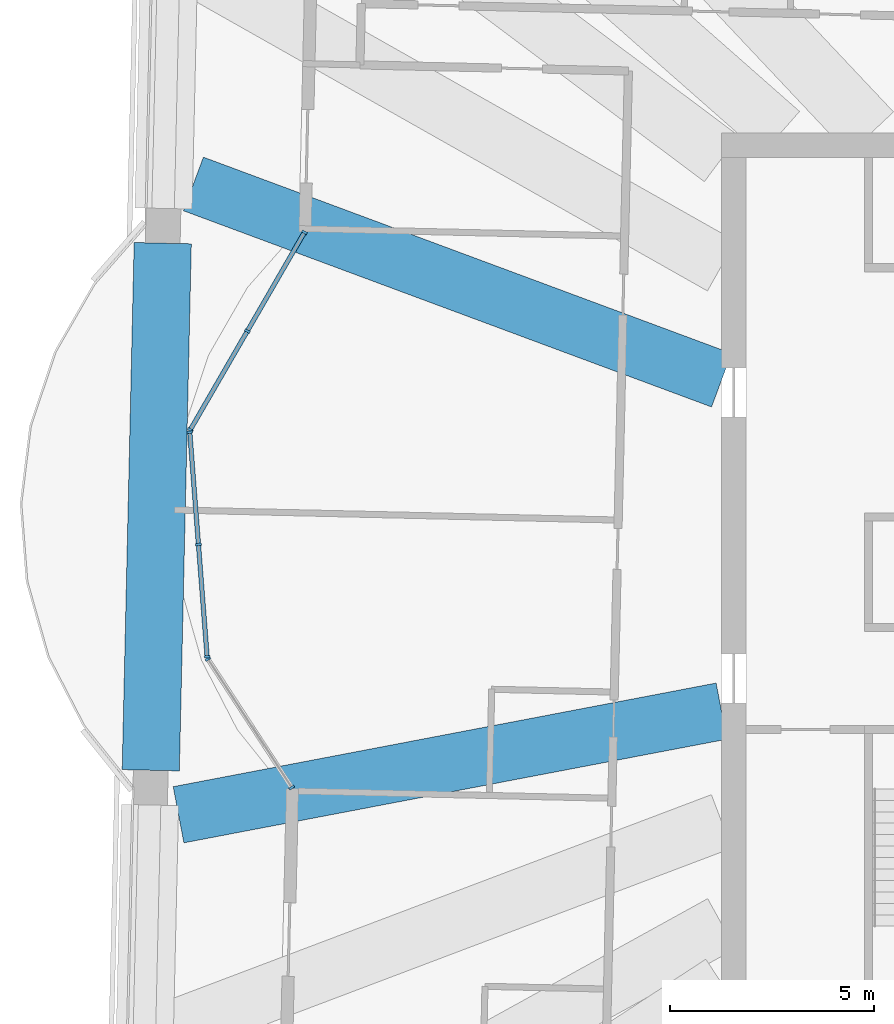
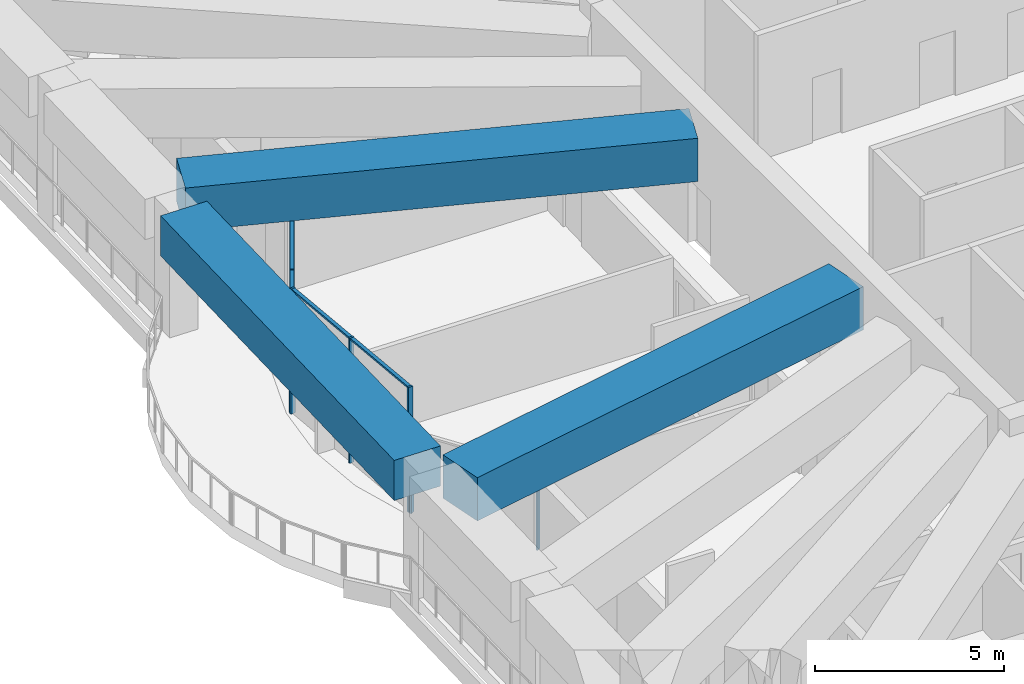
# One storey, part 2 of 17: 12 members, 3 beams, 3 elements without a shape of their own.
"""IFC4 building model written with IfcOpenShell, lengths in metres."""

from ifc_helpers import new_model, si_unit, direction, frame, origin, origin_2d, place, context, subcontext, project, spatial, rectangle, extrude, material, material_profile, profile_set, type_object, element, aggregate, save


model = new_model("IFC4")

# Units and contexts
model_context = context("Model", 3, precision=1e-05, world=origin(), true_north=direction((0.0, 1.0)))
body_context = subcontext(model_context, "Body", "Model", "MODEL_VIEW")
ifc_project = project(units=[si_unit("LENGTHUNIT", "METRE"), si_unit("AREAUNIT", "SQUARE_METRE"), si_unit("VOLUMEUNIT", "CUBIC_METRE"), si_unit("PLANEANGLEUNIT", "RADIAN"), si_unit("MASSUNIT", "GRAM", prefix="KILO")], contexts=[model_context])

# Site, building, storey
site_placement = place(None, origin())
site = spatial("IfcSite", under=ifc_project, at=site_placement, CompositionType="ELEMENT")
building_placement = place(site_placement, origin())
building = spatial("IfcBuilding", under=site, at=building_placement, Name="Mangrove Gate Tower", CompositionType="ELEMENT")
storey_placement = place(building_placement, frame((0.0, 0.0, 337.89990234375)))
storey = spatial("IfcBuildingStorey", under=building, at=storey_placement, Name="L86", CompositionType="ELEMENT", Elevation=337.89990234375)

# Curtain wall, members
ifc_material_1 = material(Name="Aluminium and glass curtain wall", Category="aluminium")
curtain_wall_type = type_object("IfcCurtainWallType", Name="Crown garden glazing wall", PredefinedType="NOTDEFINED", material=ifc_material_1)
curtain_wall_1_placement = place(storey_placement, origin())
curtain_wall_1 = element("IfcCurtainWall", 1, at=curtain_wall_1_placement, inside=storey, type_object=curtain_wall_type, Name="Crown garden glazing W9f1", PredefinedType="NOTDEFINED")
ifc_material_2 = material(Name="Aluminium alloy 6063-T6", Category="aluminium")
ifc_material_profile_1 = material_profile(ifc_material_2, rectangle(XDim=0.06005859375, YDim=0.139892578125, at=origin_2d()))
ifc_profile_set_1 = profile_set([ifc_material_profile_1], Name="Aluminium alloy 6063-T6")
member_type_1 = type_object("IfcMemberType", Name="Crown garden glazing mullion 60x140", PredefinedType="MULLION", material=ifc_profile_set_1)
member_1_placement = place(storey_placement, frame((-24.604248046875, 8.96826171875, 0.0), z_axis=(0.0, 0.0, 1.0), x_axis=(-0.500418160284, -0.865783844189, 0.0)))
member_1 = element("IfcMember", 2, at=member_1_placement, type_object=member_type_1, Name="CWC mullion 1", PredefinedType="MULLION", context=body_context, shape_type="SweptSolid", body=[
    extrude(rectangle(XDim=0.06005859375, YDim=0.139892578125, at=origin_2d()), origin(), (0.0, 0.0, 1.0), 2.650146484375),
])
member_2_placement = place(storey_placement, frame((-26.0009765625, 6.552001953125, 0.0), z_axis=(0.0, 0.0, 1.0), x_axis=(-0.500418160284, -0.865783844189, 0.0)))
member_2 = element("IfcMember", 3, at=member_2_placement, type_object=member_type_1, Name="CWC mullion 2", PredefinedType="MULLION", context=body_context, shape_type="SweptSolid", body=[
    extrude(rectangle(XDim=0.06005859375, YDim=0.139892578125, at=origin_2d()), origin(), (0.0, 0.0, 1.0), 2.650146484375),
])
member_3_placement = place(storey_placement, frame((-27.3974609375, 4.135498046875, 0.0), z_axis=(0.0, 0.0, 1.0), x_axis=(-0.500418160284, -0.865783844189, 0.0)))
member_3 = element("IfcMember", 4, at=member_3_placement, type_object=member_type_1, Name="CWC mullion 3", PredefinedType="MULLION", context=body_context, shape_type="SweptSolid", body=[
    extrude(rectangle(XDim=0.06005859375, YDim=0.139892578125, at=origin_2d()), origin(), (0.0, 0.0, 1.0), 2.650146484375),
])

curtain_wall_2_placement = place(storey_placement, origin())
curtain_wall_2 = element("IfcCurtainWall", 5, at=curtain_wall_2_placement, inside=storey, type_object=curtain_wall_type, Name="Crown garden glazing W9f2", PredefinedType="NOTDEFINED")
member_4_placement = place(storey_placement, frame((-27.41015625, 4.07958984375, 0.0), z_axis=(0.0, 0.0, 1.0), x_axis=(0.077023348229, -0.997029289353, 0.0)))
member_4 = element("IfcMember", 6, at=member_4_placement, type_object=member_type_1, Name="CWC mullion 1", PredefinedType="MULLION", context=body_context, shape_type="SweptSolid", body=[
    extrude(rectangle(XDim=0.06005859375, YDim=0.139892578125, at=origin_2d()), origin(), (0.0, 0.0, 1.0), 4.050048828125),
])
member_5_placement = place(storey_placement, frame((-27.197998046875, 1.3310546875, 0.0), z_axis=(0.0, 0.0, 1.0), x_axis=(0.077023348229, -0.997029289353, 0.0)))
member_5 = element("IfcMember", 7, at=member_5_placement, type_object=member_type_1, Name="CWC mullion 2", PredefinedType="MULLION", context=body_context, shape_type="SweptSolid", body=[
    extrude(rectangle(XDim=0.06005859375, YDim=0.139892578125, at=origin_2d()), origin(), (0.0, 0.0, 1.0), 4.050048828125),
])
member_6_placement = place(storey_placement, frame((-26.985595703125, -1.41748046875, 0.0), z_axis=(0.0, 0.0, 1.0), x_axis=(0.077023348229, -0.997029289353, 0.0)))
member_6 = element("IfcMember", 8, at=member_6_placement, type_object=member_type_1, Name="CWC mullion 3", PredefinedType="MULLION", context=body_context, shape_type="SweptSolid", body=[
    extrude(rectangle(XDim=0.06005859375, YDim=0.139892578125, at=origin_2d()), origin(), (0.0, 0.0, 1.0), 4.050048828125),
])

curtain_wall_3_placement = place(storey_placement, origin())
curtain_wall_3 = element("IfcCurtainWall", 9, at=curtain_wall_3_placement, inside=storey, type_object=curtain_wall_type, Name="Crown garden glazing W9f3", PredefinedType="NOTDEFINED")
member_7_placement = place(storey_placement, frame((-26.966796875, -1.472412109375, 0.0), z_axis=(0.0, 0.0, 1.0), x_axis=(0.546235085045, -0.837631919083, 0.0)))
member_7 = element("IfcMember", 10, at=member_7_placement, type_object=member_type_1, Name="CWC mullion 1", PredefinedType="MULLION", context=body_context, shape_type="SweptSolid", body=[
    extrude(rectangle(XDim=0.06005859375, YDim=0.139892578125, at=origin_2d()), origin(), (0.0, 0.0, 1.0), 2.650146484375),
])
member_8_placement = place(storey_placement, frame((-24.915283203125, -4.61865234375, 0.0), z_axis=(0.0, 0.0, 1.0), x_axis=(0.546235085045, -0.837631919083, 0.0)))
member_8 = element("IfcMember", 11, at=member_8_placement, type_object=member_type_1, Name="CWC mullion 2", PredefinedType="MULLION", context=body_context, shape_type="SweptSolid", body=[
    extrude(rectangle(XDim=0.06005859375, YDim=0.139892578125, at=origin_2d()), origin(), (0.0, 0.0, 1.0), 2.650146484375),
])
aggregate(curtain_wall_3, [member_7, member_8])

# Member
ifc_material_3 = material(Name="Aluminium alloy 6063-T6", Category="aluminium")
ifc_material_profile_2 = material_profile(ifc_material_3, rectangle(XDim=0.06005859375, YDim=0.110107421875, at=origin_2d()))
ifc_profile_set_2 = profile_set([ifc_material_profile_2], Name="Aluminium alloy 6063-T6")
member_type_2 = type_object("IfcMemberType", Name="Crown garden glazing transom 60x110", PredefinedType="USERDEFINED", material=ifc_profile_set_2)
member_9_placement = place(storey_placement, frame((-24.619384765625, 8.942138671875, 2.6201171875), z_axis=(-0.500398244711, -0.865795354972, 0.0), x_axis=(0.0, 0.0, 1.0)))
member_9 = element("IfcMember", 12, at=member_9_placement, type_object=member_type_2, Name="CWC transom 1.2", ObjectType="TRANSOM", PredefinedType="USERDEFINED", context=body_context, shape_type="SweptSolid", body=[
    extrude(rectangle(XDim=0.06005859375, YDim=0.110107421875, at=origin_2d()), origin(), (0.0, 0.0, 1.0), 2.730712890625),
])

member_10_placement = place(storey_placement, frame((-26.015869140625, 6.52587890625, 2.6201171875), z_axis=(-0.500465258138, -0.865756620187, 0.0), x_axis=(0.0, 0.0, 1.0)))
member_10 = element("IfcMember", 13, at=member_10_placement, type_object=member_type_2, Name="CWC transom 2.2", ObjectType="TRANSOM", PredefinedType="USERDEFINED", context=body_context, shape_type="SweptSolid", body=[
    extrude(rectangle(XDim=0.06005859375, YDim=0.110107421875, at=origin_2d()), origin(), (0.0, 0.0, 1.0), 2.73095703125),
])

aggregate(curtain_wall_1, [member_1, member_2, member_3, member_9, member_10])

member_11_placement = place(storey_placement, frame((-27.407958984375, 4.0498046875, 4.02001953125), z_axis=(0.077042645639, -0.997027798385, 0.0), x_axis=(0.0, 0.0, 1.0)))
member_11 = element("IfcMember", 14, at=member_11_placement, type_object=member_type_2, Name="CWC transom 1.2", ObjectType="TRANSOM", PredefinedType="USERDEFINED", context=body_context, shape_type="SweptSolid", body=[
    extrude(rectangle(XDim=0.06005859375, YDim=0.110107421875, at=origin_2d()), origin(), (0.0, 0.0, 1.0), 2.69677734375),
])

member_12_placement = place(storey_placement, frame((-27.195556640625, 1.30126953125, 4.02001953125), z_axis=(0.077042645639, -0.997027798385, 0.0), x_axis=(0.0, 0.0, 1.0)))
member_12 = element("IfcMember", 15, at=member_12_placement, type_object=member_type_2, Name="CWC transom 2.2", ObjectType="TRANSOM", PredefinedType="USERDEFINED", context=body_context, shape_type="SweptSolid", body=[
    extrude(rectangle(XDim=0.06005859375, YDim=0.110107421875, at=origin_2d()), origin(), (0.0, 0.0, 1.0), 2.69677734375),
])

aggregate(curtain_wall_2, [member_4, member_5, member_6, member_11, member_12])

# Beams
ifc_material_4 = material(Name="Concrete C50/60", Category="concrete")
ifc_material_profile_3 = material_profile(ifc_material_4, rectangle(XDim=1.39990234375, YDim=1.300048828125, at=origin_2d()))
ifc_profile_set_3 = profile_set([ifc_material_profile_3], Name="Concrete C50/60")
beam_type_1 = type_object("IfcBeamType", Name="Transfer girder RC 1400x1300 C50/60", PredefinedType="BEAM", material=ifc_profile_set_3)
beam_1_placement = place(storey_placement, frame((-28.07177734375, 8.702392578125, 3.400146484375), z_axis=(-0.022690883298, -0.999742528762, 0.0), x_axis=(0.999742528762, -0.022690883298, 0.0)))
element("IfcBeam", 16, at=beam_1_placement, inside=storey, type_object=beam_type_1, Name="Transfer ring girder L86 31", PredefinedType="BEAM", context=body_context, shape_type="SweptSolid", body=[
    extrude(rectangle(XDim=1.39990234375, YDim=1.300048828125, at=origin_2d()), origin(), (0.0, 0.0, 1.0), 12.900634765625),
])
ifc_material_5 = material(Name="Concrete C50/60", Category="concrete")
ifc_material_profile_4 = material_profile(ifc_material_5, rectangle(XDim=1.39990234375, YDim=1.39990234375, at=origin_2d()))
ifc_profile_set_4 = profile_set([ifc_material_profile_4], Name="Concrete C50/60")
beam_type_2 = type_object("IfcBeamType", Name="Transfer girder RC 1400x1400 C50/60", PredefinedType="BEAM", material=ifc_profile_set_4)
beam_2_placement = place(storey_placement, frame((-14.39990234375, -2.748046875, 3.35009765625), z_axis=(-0.982275311361, -0.187443892112, 0.0), x_axis=(0.187443892112, -0.982275311361, 0.0)))
element("IfcBeam", 17, at=beam_2_placement, inside=storey, type_object=beam_type_2, Name="Transfer girder L86 00", PredefinedType="BEAM", context=body_context, shape_type="SweptSolid", body=[
    extrude(rectangle(XDim=1.39990234375, YDim=1.39990234375, at=origin_2d()), origin(), (0.0, 0.0, 1.0), 13.52490234375),
])
beam_3_placement = place(storey_placement, frame((-14.39990234375, 5.350341796875, 3.35009765625), z_axis=(-0.93738545779, 0.348293702964, 0.0), x_axis=(-0.348293702964, -0.93738545779, 0.0)))
element("IfcBeam", 18, at=beam_3_placement, inside=storey, type_object=beam_type_2, Name="Transfer girder L86 29", PredefinedType="BEAM", context=body_context, shape_type="SweptSolid", body=[
    extrude(rectangle(XDim=1.39990234375, YDim=1.39990234375, at=origin_2d()), origin(), (0.0, 0.0, 1.0), 13.78369140625),
])

save(model, "model.ifc")
